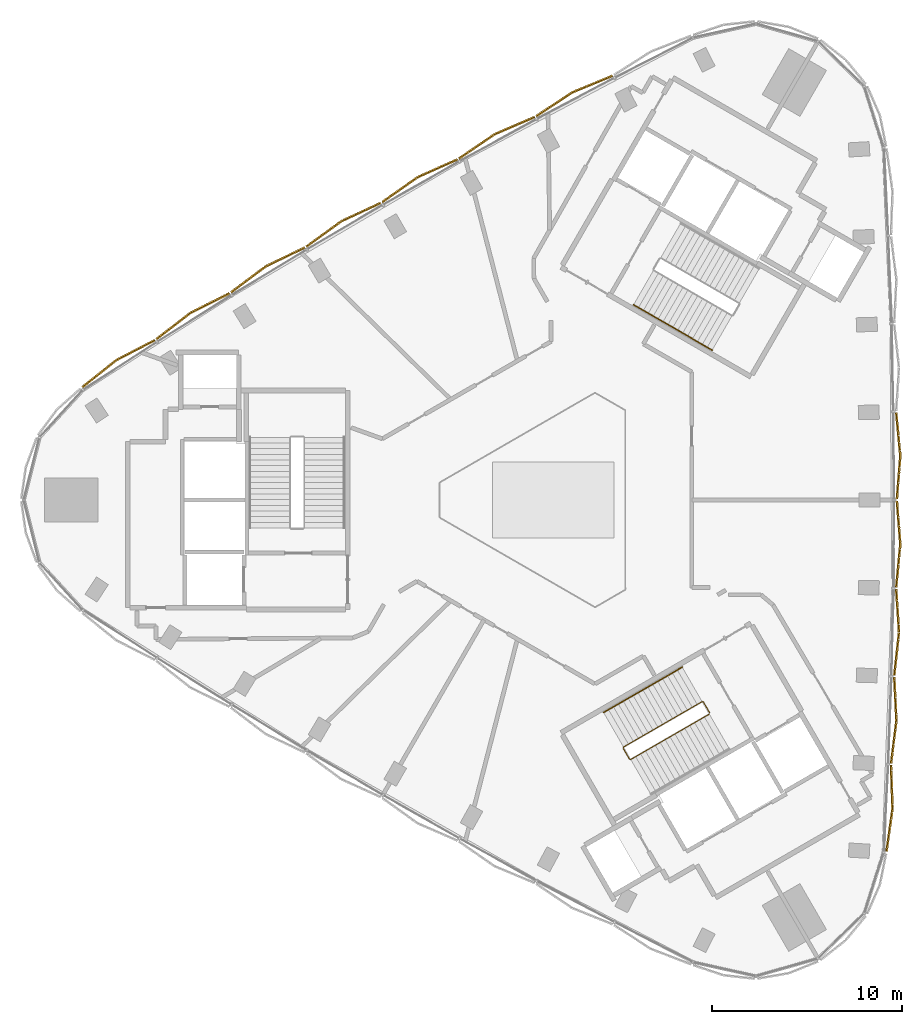
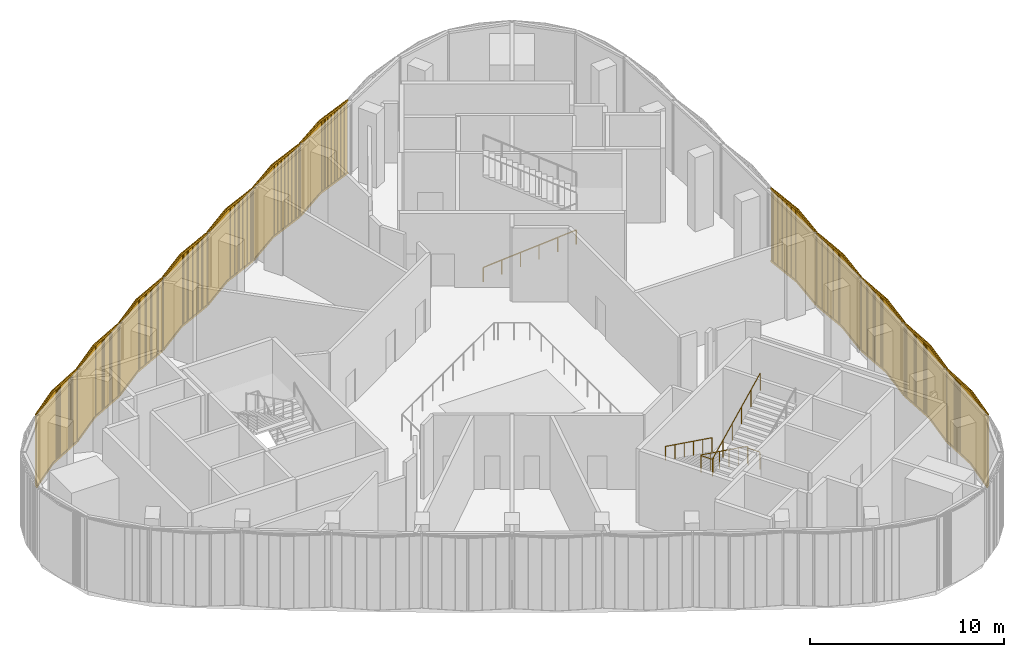
# One storey, part 13 of 15: 12 coverings, 3 railings.
"""IFC4 building model written with IfcOpenShell, lengths in metres."""

from ifc_helpers import new_model, si_unit, direction, frame, frame_2d, origin, origin_2d, place, context, subcontext, project, spatial, rectangle, circle, extrude, source, transform, mapped, material, type_object, element, save


model = new_model("IFC4")

# Units and contexts
model_context = context("Model", 3, precision=1e-05, world=origin(), true_north=direction((0.0, 1.0)))
body_context = subcontext(model_context, "Body", "Model", "MODEL_VIEW")
ifc_project = project(units=[si_unit("LENGTHUNIT", "METRE"), si_unit("AREAUNIT", "SQUARE_METRE"), si_unit("VOLUMEUNIT", "CUBIC_METRE"), si_unit("PLANEANGLEUNIT", "RADIAN"), si_unit("MASSUNIT", "GRAM", prefix="KILO")], contexts=[model_context])

# Site, building, storey
site_placement = place(None, origin())
site = spatial("IfcSite", under=ifc_project, at=site_placement, CompositionType="ELEMENT")
building_placement = place(site_placement, origin())
building = spatial("IfcBuilding", under=site, at=building_placement, Name="Tamra Quay Hotel Tower", CompositionType="ELEMENT")
storey_placement = place(building_placement, frame((0.0, 0.0, 216.39990234375)))
storey = spatial("IfcBuildingStorey", under=building, at=storey_placement, Name="L54", CompositionType="ELEMENT", Elevation=216.39990234375)

# Railings
ifc_material_1 = material(Name="Stair guard 1100")
railing_type_1 = type_object("IfcRailingType", Name="Stair guard 1100", PredefinedType="GUARDRAIL", material=ifc_material_1)
railing_1_placement = place(storey_placement, frame((8.245849609375, -11.221923828125, 0.0)))
element("IfcRailing", 1, at=railing_1_placement, inside=storey, type_object=railing_type_1, Name="GR", PredefinedType="GUARDRAIL", context=body_context, shape_type="SweptSolid", body=[
    extrude(circle(Radius=0.02392578125, at=origin_2d()), frame((0.0, 0.0, 1.076171875), z_axis=(-0.500043078269, 0.866000531106, 0.0), x_axis=(-0.866000531106, -0.500043078269, 0.0)), (0.0, 0.0, 1.0), 0.6591796875),
    extrude(circle(Radius=0.02392578125, at=origin_2d()), frame((-0.32958984375, 0.57080078125, 1.076171875), z_axis=(-0.418500998381, 0.112098481709, 0.901271792942), x_axis=(-0.258736085224, -0.965948051503, 0.0)), (0.0, 0.0, 1.0), 0.163330078125),
    extrude(circle(Radius=0.02392578125, at=origin_2d()), frame((-0.39794921875, 0.589111328125, 1.22314453125), z_axis=(-0.777122292527, -0.448688522226, 0.441315706133), x_axis=(0.500014005679, -0.866017317451, 0.0)), (0.0, 0.0, 1.0), 5.331298828125),
    extrude(circle(Radius=0.02392578125, at=origin_2d()), frame((-4.541015625, -1.802978515625, 3.576171875), z_axis=(-0.258736085224, -0.965948051503, 0.0), x_axis=(0.965948051503, -0.258736085224, 0.0)), (0.0, 0.0, 1.0), 0.07080078125),
    extrude(circle(Radius=0.02392578125, at=origin_2d()), frame((-4.559326171875, -1.871337890625, 3.576171875), z_axis=(0.500203519255, -0.865907869998, 0.0), x_axis=(0.865907869998, 0.500203519255, 0.0)), (0.0, 0.0, 1.0), 0.658935546875),
    extrude(circle(Radius=0.02392578125, at=origin_2d()), frame((-4.229736328125, -2.44189453125, 3.576171875), z_axis=(0.418500998381, -0.112098481709, 0.901271792942), x_axis=(0.258736085224, 0.965948051503, 0.0)), (0.0, 0.0, 1.0), 0.163330078125),
    extrude(circle(Radius=0.02392578125, at=origin_2d()), frame((-4.161376953125, -2.460205078125, 3.72314453125), z_axis=(0.777122292527, 0.448688522226, 0.441315706133), x_axis=(-0.500014005679, 0.866017317451, 0.0)), (0.0, 0.0, 1.0), 5.331298828125),
    extrude(circle(Radius=0.02099609375, at=origin_2d()), origin(), (0.0, 0.0, 1.0), 1.052001953125),
    extrude(circle(Radius=0.02099609375, at=origin_2d()), frame((-0.32958984375, 0.57080078125, 0.0)), (0.0, 0.0, 1.0), 1.052001953125),
    extrude(circle(Radius=0.02099609375, at=origin_2d()), frame((-0.39794921875, 0.589111328125, 0.147216796875)), (0.0, 0.0, 1.0), 1.052001953125),
    extrude(circle(Radius=0.02099609375, at=origin_2d()), frame((-1.2265625, 0.110595703125, 0.61767578125)), (0.0, 0.0, 1.0), 1.052001953125),
    extrude(circle(Radius=0.02099609375, at=origin_2d()), frame((-2.05517578125, -0.36767578125, 1.08837890625)), (0.0, 0.0, 1.0), 1.052001953125),
    extrude(circle(Radius=0.02099609375, at=origin_2d()), frame((-2.8837890625, -0.84619140625, 1.558837890625)), (0.0, 0.0, 1.0), 1.052001953125),
    extrude(circle(Radius=0.02099609375, at=origin_2d()), frame((-3.71240234375, -1.324462890625, 2.029541015625)), (0.0, 0.0, 1.0), 1.052001953125),
    extrude(circle(Radius=0.02099609375, at=origin_2d()), frame((-4.541015625, -1.802978515625, 2.5)), (0.0, 0.0, 1.0), 1.052001953125),
    extrude(circle(Radius=0.02099609375, at=origin_2d()), frame((-4.559326171875, -1.871337890625, 2.5)), (0.0, 0.0, 1.0), 1.052001953125),
    extrude(circle(Radius=0.02099609375, at=origin_2d()), frame((-4.229736328125, -2.44189453125, 2.5)), (0.0, 0.0, 1.0), 1.052001953125),
    extrude(circle(Radius=0.02099609375, at=origin_2d()), frame((-4.161376953125, -2.460205078125, 2.647216796875)), (0.0, 0.0, 1.0), 1.052001953125),
    extrude(circle(Radius=0.02099609375, at=origin_2d()), frame((-3.332763671875, -1.981689453125, 3.11767578125)), (0.0, 0.0, 1.0), 1.052001953125),
    extrude(circle(Radius=0.02099609375, at=origin_2d()), frame((-2.504150390625, -1.50341796875, 3.58837890625)), (0.0, 0.0, 1.0), 1.052001953125),
    extrude(circle(Radius=0.02099609375, at=origin_2d()), frame((-1.675537109375, -1.02490234375, 4.058837890625)), (0.0, 0.0, 1.0), 1.052001953125),
    extrude(circle(Radius=0.02099609375, at=origin_2d()), frame((-0.846923828125, -0.546630859375, 4.529541015625)), (0.0, 0.0, 1.0), 1.052001953125),
    extrude(circle(Radius=0.02099609375, at=origin_2d()), frame((-0.018310546875, -0.068115234375, 5.0)), (0.0, 0.0, 1.0), 1.052001953125),
])
ifc_material_2 = material(Name="Stair handrail 900")
railing_type_2 = type_object("IfcRailingType", Name="Stair handrail 900", PredefinedType="HANDRAIL", material=ifc_material_2)
railing_2_placement = place(storey_placement, frame((4.234375, 10.294189453125, 0.147216796875)))
element("IfcRailing", 2, at=railing_2_placement, inside=storey, type_object=railing_type_2, Name="HR", PredefinedType="HANDRAIL", context=body_context, shape_type="SweptSolid", body=[
    extrude(circle(Radius=0.02392578125, at=origin_2d()), frame((0.0, 0.0, 0.8759765625), z_axis=(0.777138259885, -0.4486519465, 0.441324773749), x_axis=(0.49997573074, 0.866039415195, 0.0)), (0.0, 0.0, 1.0), 5.331298828125),
    extrude(circle(Radius=0.02099609375, at=origin_2d()), origin(), (0.0, 0.0, 1.0), 0.851806640625),
    extrude(circle(Radius=0.02099609375, at=origin_2d()), frame((0.82861328125, -0.478271484375, 0.470458984375)), (0.0, 0.0, 1.0), 0.851806640625),
    extrude(circle(Radius=0.02099609375, at=origin_2d()), frame((1.6572265625, -0.956787109375, 0.941162109375)), (0.0, 0.0, 1.0), 0.851806640625),
    extrude(circle(Radius=0.02099609375, at=origin_2d()), frame((2.48583984375, -1.43505859375, 1.41162109375)), (0.0, 0.0, 1.0), 0.851806640625),
    extrude(circle(Radius=0.02099609375, at=origin_2d()), frame((3.314453125, -1.91357421875, 1.88232421875)), (0.0, 0.0, 1.0), 0.851806640625),
    extrude(circle(Radius=0.02099609375, at=origin_2d()), frame((4.14306640625, -2.391845703125, 2.352783203125)), (0.0, 0.0, 1.0), 0.851806640625),
])
railing_3_placement = place(storey_placement, frame((6.7978515625, -8.814208984375, 0.147216796875)))
element("IfcRailing", 3, at=railing_3_placement, inside=storey, type_object=railing_type_2, Name="HR", PredefinedType="HANDRAIL", context=body_context, shape_type="SweptSolid", body=[
    extrude(circle(Radius=0.02392578125, at=origin_2d()), frame((0.0, 0.0, 0.8759765625), z_axis=(-0.777122292527, -0.448688522226, 0.441315706133), x_axis=(0.500014005679, -0.866017317451, 0.0)), (0.0, 0.0, 1.0), 5.331298828125),
    extrude(circle(Radius=0.02099609375, at=origin_2d()), origin(), (0.0, 0.0, 1.0), 0.851806640625),
    extrude(circle(Radius=0.02099609375, at=origin_2d()), frame((-0.82861328125, -0.478515625, 0.470458984375)), (0.0, 0.0, 1.0), 0.851806640625),
    extrude(circle(Radius=0.02099609375, at=origin_2d()), frame((-1.6572265625, -0.956787109375, 0.941162109375)), (0.0, 0.0, 1.0), 0.851806640625),
    extrude(circle(Radius=0.02099609375, at=origin_2d()), frame((-2.48583984375, -1.435302734375, 1.41162109375)), (0.0, 0.0, 1.0), 0.851806640625),
    extrude(circle(Radius=0.02099609375, at=origin_2d()), frame((-3.314453125, -1.91357421875, 1.88232421875)), (0.0, 0.0, 1.0), 0.851806640625),
    extrude(circle(Radius=0.02099609375, at=origin_2d()), frame((-4.14306640625, -2.39208984375, 2.352783203125)), (0.0, 0.0, 1.0), 0.851806640625),
])

# Coverings
ifc_material_3 = material(Name="Terracotta baguette extruded", Category="masonry")
covering_type_1 = type_object("IfcCoveringType", Name="BAGUETTE SCREEN E-SHALLOW H4650", PredefinedType="USERDEFINED", material=ifc_material_3)
shared_shape_1 = source(origin(), body_context, "Body", "SweptSolid", [
    extrude(rectangle(XDim=2.291259765625, YDim=0.06005859375, at=frame_2d((1.1455078125, 0.030029296875))), frame((-2.287841796875, -0.057861328125, -0.1201171875), z_axis=(0.0, 0.0, 1.0), x_axis=(0.996194698092, -0.087155742748, 0.0)), (0.0, 0.0, 1.0), 0.1201171875),
    extrude(rectangle(XDim=2.291259765625, YDim=0.06005859375, at=frame_2d((1.1455078125, 0.030029296875))), frame((-2.287841796875, -0.057861328125, -4.64990234375), z_axis=(0.0, 0.0, 1.0), x_axis=(0.996194698092, -0.087155742748, 0.0)), (0.0, 0.0, 1.0), 0.1201171875),
    extrude(rectangle(XDim=0.094970703125, YDim=0.10009765625, at=frame_2d((0.04736328125, 0.050048828125))), frame((-2.2802734375, -0.13232421875, -4.590087890625)), (0.0, 0.0, 1.0), 4.530029296875),
    extrude(rectangle(XDim=0.094970703125, YDim=0.10009765625, at=frame_2d((0.04736328125, 0.050048828125))), frame((-2.18115234375, -0.14111328125, -4.590087890625)), (0.0, 0.0, 1.0), 4.530029296875),
    extrude(rectangle(XDim=0.094970703125, YDim=0.10009765625, at=frame_2d((0.04736328125, 0.050048828125))), frame((-2.081787109375, -0.149658203125, -4.590087890625)), (0.0, 0.0, 1.0), 4.530029296875),
    extrude(rectangle(XDim=0.094970703125, YDim=0.10009765625, at=frame_2d((0.04736328125, 0.050048828125))), frame((-1.982666015625, -0.158447265625, -4.590087890625)), (0.0, 0.0, 1.0), 4.530029296875),
    extrude(rectangle(XDim=0.094970703125, YDim=0.10009765625, at=frame_2d((0.04736328125, 0.050048828125))), frame((-1.88330078125, -0.1669921875, -4.590087890625)), (0.0, 0.0, 1.0), 4.530029296875),
    extrude(rectangle(XDim=0.094970703125, YDim=0.10009765625, at=frame_2d((0.04736328125, 0.050048828125))), frame((-1.7841796875, -0.17578125, -4.590087890625)), (0.0, 0.0, 1.0), 4.530029296875),
    extrude(rectangle(XDim=0.094970703125, YDim=0.10009765625, at=frame_2d((0.04736328125, 0.050048828125))), frame((-1.68505859375, -0.184326171875, -4.590087890625)), (0.0, 0.0, 1.0), 4.530029296875),
    extrude(rectangle(XDim=0.094970703125, YDim=0.10009765625, at=frame_2d((0.04736328125, 0.050048828125))), frame((-1.585693359375, -0.193115234375, -4.590087890625)), (0.0, 0.0, 1.0), 4.530029296875),
    extrude(rectangle(XDim=0.094970703125, YDim=0.10009765625, at=frame_2d((0.04736328125, 0.050048828125))), frame((-1.486572265625, -0.201904296875, -4.590087890625)), (0.0, 0.0, 1.0), 4.530029296875),
    extrude(rectangle(XDim=0.094970703125, YDim=0.10009765625, at=frame_2d((0.04736328125, 0.050048828125))), frame((-1.38720703125, -0.21044921875, -4.590087890625)), (0.0, 0.0, 1.0), 4.530029296875),
    extrude(rectangle(XDim=0.094970703125, YDim=0.10009765625, at=frame_2d((0.04736328125, 0.050048828125))), frame((-1.2880859375, -0.21923828125, -4.590087890625)), (0.0, 0.0, 1.0), 4.530029296875),
    extrude(rectangle(XDim=0.094970703125, YDim=0.10009765625, at=frame_2d((0.04736328125, 0.050048828125))), frame((-1.188720703125, -0.227783203125, -4.590087890625)), (0.0, 0.0, 1.0), 4.530029296875),
    extrude(rectangle(XDim=0.094970703125, YDim=0.10009765625, at=frame_2d((0.04736328125, 0.050048828125))), frame((-1.089599609375, -0.236572265625, -4.590087890625)), (0.0, 0.0, 1.0), 4.530029296875),
    extrude(rectangle(XDim=0.094970703125, YDim=0.10009765625, at=frame_2d((0.04736328125, 0.050048828125))), frame((-0.990234375, -0.2451171875, -4.590087890625)), (0.0, 0.0, 1.0), 4.530029296875),
    extrude(rectangle(XDim=0.094970703125, YDim=0.10009765625, at=frame_2d((0.04736328125, 0.050048828125))), frame((-0.89111328125, -0.25390625, -4.590087890625)), (0.0, 0.0, 1.0), 4.530029296875),
    extrude(rectangle(XDim=0.094970703125, YDim=0.10009765625, at=frame_2d((0.04736328125, 0.050048828125))), frame((-0.791748046875, -0.2626953125, -4.590087890625)), (0.0, 0.0, 1.0), 4.530029296875),
    extrude(rectangle(XDim=0.094970703125, YDim=0.10009765625, at=frame_2d((0.04736328125, 0.050048828125))), frame((-0.692626953125, -0.271240234375, -4.590087890625)), (0.0, 0.0, 1.0), 4.530029296875),
    extrude(rectangle(XDim=0.094970703125, YDim=0.10009765625, at=frame_2d((0.04736328125, 0.050048828125))), frame((-0.59326171875, -0.280029296875, -4.590087890625)), (0.0, 0.0, 1.0), 4.530029296875),
    extrude(rectangle(XDim=0.094970703125, YDim=0.10009765625, at=frame_2d((0.04736328125, 0.050048828125))), frame((-0.494140625, -0.28857421875, -4.590087890625)), (0.0, 0.0, 1.0), 4.530029296875),
    extrude(rectangle(XDim=0.094970703125, YDim=0.10009765625, at=frame_2d((0.04736328125, 0.050048828125))), frame((-0.394775390625, -0.29736328125, -4.590087890625)), (0.0, 0.0, 1.0), 4.530029296875),
    extrude(rectangle(XDim=0.094970703125, YDim=0.10009765625, at=frame_2d((0.04736328125, 0.050048828125))), frame((-0.295654296875, -0.305908203125, -4.590087890625)), (0.0, 0.0, 1.0), 4.530029296875),
    extrude(rectangle(XDim=0.094970703125, YDim=0.10009765625, at=frame_2d((0.04736328125, 0.050048828125))), frame((-0.1962890625, -0.314697265625, -4.590087890625)), (0.0, 0.0, 1.0), 4.530029296875),
    extrude(rectangle(XDim=0.094970703125, YDim=0.10009765625, at=frame_2d((0.04736328125, 0.050048828125))), frame((-0.09716796875, -0.3232421875, -4.590087890625)), (0.0, 0.0, 1.0), 4.530029296875),
    extrude(rectangle(XDim=2.291259765625, YDim=0.06005859375, at=frame_2d((1.1455078125, 0.030029296875))), frame((0.005126953125, -0.257568359375, -0.1201171875), z_axis=(0.0, 0.0, 1.0), x_axis=(0.996194698092, 0.087155742748, 0.0)), (0.0, 0.0, 1.0), 0.1201171875),
    extrude(rectangle(XDim=2.291259765625, YDim=0.06005859375, at=frame_2d((1.1455078125, 0.030029296875))), frame((0.005126953125, -0.257568359375, -4.64990234375), z_axis=(0.0, 0.0, 1.0), x_axis=(0.996194698092, 0.087155742748, 0.0)), (0.0, 0.0, 1.0), 0.1201171875),
    extrude(rectangle(XDim=0.094970703125, YDim=0.10009765625, at=frame_2d((0.04736328125, 0.050048828125))), frame((0.002197265625, -0.3232421875, -4.590087890625)), (0.0, 0.0, 1.0), 4.530029296875),
    extrude(rectangle(XDim=0.094970703125, YDim=0.10009765625, at=frame_2d((0.04736328125, 0.050048828125))), frame((0.101318359375, -0.314697265625, -4.590087890625)), (0.0, 0.0, 1.0), 4.530029296875),
    extrude(rectangle(XDim=0.094970703125, YDim=0.10009765625, at=frame_2d((0.04736328125, 0.050048828125))), frame((0.20068359375, -0.305908203125, -4.590087890625)), (0.0, 0.0, 1.0), 4.530029296875),
    extrude(rectangle(XDim=0.094970703125, YDim=0.10009765625, at=frame_2d((0.04736328125, 0.050048828125))), frame((0.2998046875, -0.29736328125, -4.590087890625)), (0.0, 0.0, 1.0), 4.530029296875),
    extrude(rectangle(XDim=0.094970703125, YDim=0.10009765625, at=frame_2d((0.04736328125, 0.050048828125))), frame((0.399169921875, -0.28857421875, -4.590087890625)), (0.0, 0.0, 1.0), 4.530029296875),
    extrude(rectangle(XDim=0.094970703125, YDim=0.10009765625, at=frame_2d((0.04736328125, 0.050048828125))), frame((0.498291015625, -0.280029296875, -4.590087890625)), (0.0, 0.0, 1.0), 4.530029296875),
    extrude(rectangle(XDim=0.094970703125, YDim=0.10009765625, at=frame_2d((0.04736328125, 0.050048828125))), frame((0.59765625, -0.271240234375, -4.590087890625)), (0.0, 0.0, 1.0), 4.530029296875),
    extrude(rectangle(XDim=0.094970703125, YDim=0.10009765625, at=frame_2d((0.04736328125, 0.050048828125))), frame((0.69677734375, -0.2626953125, -4.590087890625)), (0.0, 0.0, 1.0), 4.530029296875),
    extrude(rectangle(XDim=0.094970703125, YDim=0.10009765625, at=frame_2d((0.04736328125, 0.050048828125))), frame((0.796142578125, -0.25390625, -4.590087890625)), (0.0, 0.0, 1.0), 4.530029296875),
    extrude(rectangle(XDim=0.094970703125, YDim=0.10009765625, at=frame_2d((0.04736328125, 0.050048828125))), frame((0.895263671875, -0.2451171875, -4.590087890625)), (0.0, 0.0, 1.0), 4.530029296875),
    extrude(rectangle(XDim=0.094970703125, YDim=0.10009765625, at=frame_2d((0.04736328125, 0.050048828125))), frame((0.99462890625, -0.236572265625, -4.590087890625)), (0.0, 0.0, 1.0), 4.530029296875),
    extrude(rectangle(XDim=0.094970703125, YDim=0.10009765625, at=frame_2d((0.04736328125, 0.050048828125))), frame((1.09375, -0.227783203125, -4.590087890625)), (0.0, 0.0, 1.0), 4.530029296875),
    extrude(rectangle(XDim=0.094970703125, YDim=0.10009765625, at=frame_2d((0.04736328125, 0.050048828125))), frame((1.19287109375, -0.21923828125, -4.590087890625)), (0.0, 0.0, 1.0), 4.530029296875),
    extrude(rectangle(XDim=0.094970703125, YDim=0.10009765625, at=frame_2d((0.04736328125, 0.050048828125))), frame((1.292236328125, -0.21044921875, -4.590087890625)), (0.0, 0.0, 1.0), 4.530029296875),
    extrude(rectangle(XDim=0.094970703125, YDim=0.10009765625, at=frame_2d((0.04736328125, 0.050048828125))), frame((1.391357421875, -0.201904296875, -4.590087890625)), (0.0, 0.0, 1.0), 4.530029296875),
    extrude(rectangle(XDim=0.094970703125, YDim=0.10009765625, at=frame_2d((0.04736328125, 0.050048828125))), frame((1.49072265625, -0.193115234375, -4.590087890625)), (0.0, 0.0, 1.0), 4.530029296875),
    extrude(rectangle(XDim=0.094970703125, YDim=0.10009765625, at=frame_2d((0.04736328125, 0.050048828125))), frame((1.58984375, -0.184326171875, -4.590087890625)), (0.0, 0.0, 1.0), 4.530029296875),
    extrude(rectangle(XDim=0.094970703125, YDim=0.10009765625, at=frame_2d((0.04736328125, 0.050048828125))), frame((1.689208984375, -0.17578125, -4.590087890625)), (0.0, 0.0, 1.0), 4.530029296875),
    extrude(rectangle(XDim=0.094970703125, YDim=0.10009765625, at=frame_2d((0.04736328125, 0.050048828125))), frame((1.788330078125, -0.1669921875, -4.590087890625)), (0.0, 0.0, 1.0), 4.530029296875),
    extrude(rectangle(XDim=0.094970703125, YDim=0.10009765625, at=frame_2d((0.04736328125, 0.050048828125))), frame((1.8876953125, -0.158447265625, -4.590087890625)), (0.0, 0.0, 1.0), 4.530029296875),
    extrude(rectangle(XDim=0.094970703125, YDim=0.10009765625, at=frame_2d((0.04736328125, 0.050048828125))), frame((1.98681640625, -0.149658203125, -4.590087890625)), (0.0, 0.0, 1.0), 4.530029296875),
    extrude(rectangle(XDim=0.094970703125, YDim=0.10009765625, at=frame_2d((0.04736328125, 0.050048828125))), frame((2.086181640625, -0.14111328125, -4.590087890625)), (0.0, 0.0, 1.0), 4.530029296875),
    extrude(rectangle(XDim=0.094970703125, YDim=0.10009765625, at=frame_2d((0.04736328125, 0.050048828125))), frame((2.185302734375, -0.13232421875, -4.590087890625)), (0.0, 0.0, 1.0), 4.530029296875),
])
for number, where, z_axis, x_axis, name in (
    (4, (17.62548828125, -16.252197265625, 4.650146484375), (0.0, 0.0, 1.0), (0.051403550754, 0.998677963595, 0.0), "Baguette screen L54.E.f00"),
    (5, (17.830322265625, -11.611083984375, 4.650146484375), (0.0, 0.0, 1.0), (0.036744877024, 0.999324678977, 0.0), "Baguette screen L54.E.f01"),
    (6, (17.967041015625, -6.9677734375, 4.650146484375), (0.0, 0.0, 1.0), (0.022062941514, 0.99975658368, 0.0), "Baguette screen L54.E.f02"),
    (7, (18.03515625, -2.32275390625, 4.650146484375), (0.0, 0.0, 1.0), (0.007361709443, 0.99997290225, 0.0), "Baguette screen L54.E.f03"),
    (8, (18.03515625, 2.32275390625, 4.650146484375), (0.0, 0.0, 1.0), (-0.007361709443, 0.99997290225, 0.0), "Baguette screen L54.E.f04"),
):
    element("IfcCovering", number, at=place(storey_placement, frame(where, z_axis=z_axis, x_axis=x_axis)), inside=storey, type_object=covering_type_1, Name=name, ObjectType="BAGUETTE SCREEN", PredefinedType="USERDEFINED", context=body_context, shape_type="MappedRepresentation", body=[
        mapped(shared_shape_1, transform((0.0, 0.0, 0.0), scale=1.0)),
    ])
covering_type_2 = type_object("IfcCoveringType", Name="BAGUETTE SCREEN NW-SHALLOW H4650", PredefinedType="USERDEFINED", material=ifc_material_3)
shared_shape_2 = source(origin(), body_context, "Body", "SweptSolid", [
    extrude(rectangle(XDim=2.29296875, YDim=0.06005859375, at=frame_2d((1.146484375, 0.030029296875))), frame((-2.288330078125, -0.0576171875, -0.1201171875), z_axis=(0.0, 0.0, 1.0), x_axis=(0.995396198367, -0.09584575252, 0.0)), (0.0, 0.0, 1.0), 0.1201171875),
    extrude(rectangle(XDim=2.29296875, YDim=0.06005859375, at=frame_2d((1.146484375, 0.030029296875))), frame((-2.288330078125, -0.0576171875, -4.64990234375), z_axis=(0.0, 0.0, 1.0), x_axis=(0.995396198367, -0.09584575252, 0.0)), (0.0, 0.0, 1.0), 0.1201171875),
    extrude(rectangle(XDim=0.094970703125, YDim=0.10009765625, at=frame_2d((0.04736328125, 0.050048828125))), frame((-2.2802734375, -0.1328125, -4.590087890625)), (0.0, 0.0, 1.0), 4.530029296875),
    extrude(rectangle(XDim=0.094970703125, YDim=0.10009765625, at=frame_2d((0.04736328125, 0.050048828125))), frame((-2.18115234375, -0.142333984375, -4.590087890625)), (0.0, 0.0, 1.0), 4.530029296875),
    extrude(rectangle(XDim=0.094970703125, YDim=0.10009765625, at=frame_2d((0.04736328125, 0.050048828125))), frame((-2.081787109375, -0.15185546875, -4.590087890625)), (0.0, 0.0, 1.0), 4.530029296875),
    extrude(rectangle(XDim=0.094970703125, YDim=0.10009765625, at=frame_2d((0.04736328125, 0.050048828125))), frame((-1.982666015625, -0.161376953125, -4.590087890625)), (0.0, 0.0, 1.0), 4.530029296875),
    extrude(rectangle(XDim=0.094970703125, YDim=0.10009765625, at=frame_2d((0.04736328125, 0.050048828125))), frame((-1.88330078125, -0.1708984375, -4.590087890625)), (0.0, 0.0, 1.0), 4.530029296875),
    extrude(rectangle(XDim=0.094970703125, YDim=0.10009765625, at=frame_2d((0.04736328125, 0.050048828125))), frame((-1.7841796875, -0.1806640625, -4.590087890625)), (0.0, 0.0, 1.0), 4.530029296875),
    extrude(rectangle(XDim=0.094970703125, YDim=0.10009765625, at=frame_2d((0.04736328125, 0.050048828125))), frame((-1.68505859375, -0.190185546875, -4.590087890625)), (0.0, 0.0, 1.0), 4.530029296875),
    extrude(rectangle(XDim=0.094970703125, YDim=0.10009765625, at=frame_2d((0.04736328125, 0.050048828125))), frame((-1.585693359375, -0.19970703125, -4.590087890625)), (0.0, 0.0, 1.0), 4.530029296875),
    extrude(rectangle(XDim=0.094970703125, YDim=0.10009765625, at=frame_2d((0.04736328125, 0.050048828125))), frame((-1.486572265625, -0.209228515625, -4.590087890625)), (0.0, 0.0, 1.0), 4.530029296875),
    extrude(rectangle(XDim=0.094970703125, YDim=0.10009765625, at=frame_2d((0.04736328125, 0.050048828125))), frame((-1.38720703125, -0.21875, -4.590087890625)), (0.0, 0.0, 1.0), 4.530029296875),
    extrude(rectangle(XDim=0.094970703125, YDim=0.10009765625, at=frame_2d((0.04736328125, 0.050048828125))), frame((-1.2880859375, -0.228271484375, -4.590087890625)), (0.0, 0.0, 1.0), 4.530029296875),
    extrude(rectangle(XDim=0.094970703125, YDim=0.10009765625, at=frame_2d((0.04736328125, 0.050048828125))), frame((-1.188720703125, -0.23779296875, -4.590087890625)), (0.0, 0.0, 1.0), 4.530029296875),
    extrude(rectangle(XDim=0.094970703125, YDim=0.10009765625, at=frame_2d((0.04736328125, 0.050048828125))), frame((-1.089599609375, -0.24755859375, -4.590087890625)), (0.0, 0.0, 1.0), 4.530029296875),
    extrude(rectangle(XDim=0.094970703125, YDim=0.10009765625, at=frame_2d((0.04736328125, 0.050048828125))), frame((-0.990234375, -0.257080078125, -4.590087890625)), (0.0, 0.0, 1.0), 4.530029296875),
    extrude(rectangle(XDim=0.094970703125, YDim=0.10009765625, at=frame_2d((0.04736328125, 0.050048828125))), frame((-0.89111328125, -0.2666015625, -4.590087890625)), (0.0, 0.0, 1.0), 4.530029296875),
    extrude(rectangle(XDim=0.094970703125, YDim=0.10009765625, at=frame_2d((0.04736328125, 0.050048828125))), frame((-0.791748046875, -0.276123046875, -4.590087890625)), (0.0, 0.0, 1.0), 4.530029296875),
    extrude(rectangle(XDim=0.094970703125, YDim=0.10009765625, at=frame_2d((0.04736328125, 0.050048828125))), frame((-0.692626953125, -0.28564453125, -4.590087890625)), (0.0, 0.0, 1.0), 4.530029296875),
    extrude(rectangle(XDim=0.094970703125, YDim=0.10009765625, at=frame_2d((0.04736328125, 0.050048828125))), frame((-0.59326171875, -0.295166015625, -4.590087890625)), (0.0, 0.0, 1.0), 4.530029296875),
    extrude(rectangle(XDim=0.094970703125, YDim=0.10009765625, at=frame_2d((0.04736328125, 0.050048828125))), frame((-0.494140625, -0.3046875, -4.590087890625)), (0.0, 0.0, 1.0), 4.530029296875),
    extrude(rectangle(XDim=0.094970703125, YDim=0.10009765625, at=frame_2d((0.04736328125, 0.050048828125))), frame((-0.394775390625, -0.314453125, -4.590087890625)), (0.0, 0.0, 1.0), 4.530029296875),
    extrude(rectangle(XDim=0.094970703125, YDim=0.10009765625, at=frame_2d((0.04736328125, 0.050048828125))), frame((-0.295654296875, -0.323974609375, -4.590087890625)), (0.0, 0.0, 1.0), 4.530029296875),
    extrude(rectangle(XDim=0.094970703125, YDim=0.10009765625, at=frame_2d((0.04736328125, 0.050048828125))), frame((-0.1962890625, -0.33349609375, -4.590087890625)), (0.0, 0.0, 1.0), 4.530029296875),
    extrude(rectangle(XDim=0.094970703125, YDim=0.10009765625, at=frame_2d((0.04736328125, 0.050048828125))), frame((-0.09716796875, -0.343017578125, -4.590087890625)), (0.0, 0.0, 1.0), 4.530029296875),
    extrude(rectangle(XDim=2.29296875, YDim=0.06005859375, at=frame_2d((1.146484375, 0.030029296875))), frame((0.005859375, -0.277587890625, -0.1201171875), z_axis=(0.0, 0.0, 1.0), x_axis=(0.995396198367, 0.09584575252, 0.0)), (0.0, 0.0, 1.0), 0.1201171875),
    extrude(rectangle(XDim=2.29296875, YDim=0.06005859375, at=frame_2d((1.146484375, 0.030029296875))), frame((0.005859375, -0.277587890625, -4.64990234375), z_axis=(0.0, 0.0, 1.0), x_axis=(0.995396198367, 0.09584575252, 0.0)), (0.0, 0.0, 1.0), 0.1201171875),
    extrude(rectangle(XDim=0.094970703125, YDim=0.10009765625, at=frame_2d((0.04736328125, 0.050048828125))), frame((0.002197265625, -0.343017578125, -4.590087890625)), (0.0, 0.0, 1.0), 4.530029296875),
    extrude(rectangle(XDim=0.094970703125, YDim=0.10009765625, at=frame_2d((0.04736328125, 0.050048828125))), frame((0.101318359375, -0.33349609375, -4.590087890625)), (0.0, 0.0, 1.0), 4.530029296875),
    extrude(rectangle(XDim=0.094970703125, YDim=0.10009765625, at=frame_2d((0.04736328125, 0.050048828125))), frame((0.20068359375, -0.323974609375, -4.590087890625)), (0.0, 0.0, 1.0), 4.530029296875),
    extrude(rectangle(XDim=0.094970703125, YDim=0.10009765625, at=frame_2d((0.04736328125, 0.050048828125))), frame((0.2998046875, -0.314453125, -4.590087890625)), (0.0, 0.0, 1.0), 4.530029296875),
    extrude(rectangle(XDim=0.094970703125, YDim=0.10009765625, at=frame_2d((0.04736328125, 0.050048828125))), frame((0.399169921875, -0.3046875, -4.590087890625)), (0.0, 0.0, 1.0), 4.530029296875),
    extrude(rectangle(XDim=0.094970703125, YDim=0.10009765625, at=frame_2d((0.04736328125, 0.050048828125))), frame((0.498291015625, -0.295166015625, -4.590087890625)), (0.0, 0.0, 1.0), 4.530029296875),
    extrude(rectangle(XDim=0.094970703125, YDim=0.10009765625, at=frame_2d((0.04736328125, 0.050048828125))), frame((0.59765625, -0.28564453125, -4.590087890625)), (0.0, 0.0, 1.0), 4.530029296875),
    extrude(rectangle(XDim=0.094970703125, YDim=0.10009765625, at=frame_2d((0.04736328125, 0.050048828125))), frame((0.69677734375, -0.276123046875, -4.590087890625)), (0.0, 0.0, 1.0), 4.530029296875),
    extrude(rectangle(XDim=0.094970703125, YDim=0.10009765625, at=frame_2d((0.04736328125, 0.050048828125))), frame((0.796142578125, -0.2666015625, -4.590087890625)), (0.0, 0.0, 1.0), 4.530029296875),
    extrude(rectangle(XDim=0.094970703125, YDim=0.10009765625, at=frame_2d((0.04736328125, 0.050048828125))), frame((0.895263671875, -0.257080078125, -4.590087890625)), (0.0, 0.0, 1.0), 4.530029296875),
    extrude(rectangle(XDim=0.094970703125, YDim=0.10009765625, at=frame_2d((0.04736328125, 0.050048828125))), frame((0.99462890625, -0.24755859375, -4.590087890625)), (0.0, 0.0, 1.0), 4.530029296875),
    extrude(rectangle(XDim=0.094970703125, YDim=0.10009765625, at=frame_2d((0.04736328125, 0.050048828125))), frame((1.09375, -0.23779296875, -4.590087890625)), (0.0, 0.0, 1.0), 4.530029296875),
    extrude(rectangle(XDim=0.094970703125, YDim=0.10009765625, at=frame_2d((0.04736328125, 0.050048828125))), frame((1.19287109375, -0.228271484375, -4.590087890625)), (0.0, 0.0, 1.0), 4.530029296875),
    extrude(rectangle(XDim=0.094970703125, YDim=0.10009765625, at=frame_2d((0.04736328125, 0.050048828125))), frame((1.292236328125, -0.21875, -4.590087890625)), (0.0, 0.0, 1.0), 4.530029296875),
    extrude(rectangle(XDim=0.094970703125, YDim=0.10009765625, at=frame_2d((0.04736328125, 0.050048828125))), frame((1.391357421875, -0.209228515625, -4.590087890625)), (0.0, 0.0, 1.0), 4.530029296875),
    extrude(rectangle(XDim=0.094970703125, YDim=0.10009765625, at=frame_2d((0.04736328125, 0.050048828125))), frame((1.49072265625, -0.19970703125, -4.590087890625)), (0.0, 0.0, 1.0), 4.530029296875),
    extrude(rectangle(XDim=0.094970703125, YDim=0.10009765625, at=frame_2d((0.04736328125, 0.050048828125))), frame((1.58984375, -0.190185546875, -4.590087890625)), (0.0, 0.0, 1.0), 4.530029296875),
    extrude(rectangle(XDim=0.094970703125, YDim=0.10009765625, at=frame_2d((0.04736328125, 0.050048828125))), frame((1.689208984375, -0.1806640625, -4.590087890625)), (0.0, 0.0, 1.0), 4.530029296875),
    extrude(rectangle(XDim=0.094970703125, YDim=0.10009765625, at=frame_2d((0.04736328125, 0.050048828125))), frame((1.788330078125, -0.1708984375, -4.590087890625)), (0.0, 0.0, 1.0), 4.530029296875),
    extrude(rectangle(XDim=0.094970703125, YDim=0.10009765625, at=frame_2d((0.04736328125, 0.050048828125))), frame((1.8876953125, -0.161376953125, -4.590087890625)), (0.0, 0.0, 1.0), 4.530029296875),
    extrude(rectangle(XDim=0.094970703125, YDim=0.10009765625, at=frame_2d((0.04736328125, 0.050048828125))), frame((1.98681640625, -0.15185546875, -4.590087890625)), (0.0, 0.0, 1.0), 4.530029296875),
    extrude(rectangle(XDim=0.094970703125, YDim=0.10009765625, at=frame_2d((0.04736328125, 0.050048828125))), frame((2.086181640625, -0.142333984375, -4.590087890625)), (0.0, 0.0, 1.0), 4.530029296875),
    extrude(rectangle(XDim=0.094970703125, YDim=0.10009765625, at=frame_2d((0.04736328125, 0.050048828125))), frame((2.185302734375, -0.1328125, -4.590087890625)), (0.0, 0.0, 1.0), 4.530029296875),
])
for number, where, z_axis, x_axis, name in (
    (9, (1.140380859375, 21.2470703125, 4.650146484375), (0.0, 0.0, 1.0), (-0.883812997135, -0.467840342526, 0.0), "Baguette screen L54.NW.f01"),
    (10, (-2.94921875, 19.043701171875, 4.650146484375), (0.0, 0.0, 1.0), (-0.876846069825, -0.480771224007, 0.0), "Baguette screen L54.NW.f02"),
    (11, (-7.005859375, 16.780517578125, 4.650146484375), (0.0, 0.0, 1.0), (-0.869682791166, -0.493611023732, 0.0), "Baguette screen L54.NW.f03"),
    (12, (-11.029296875, 14.45751953125, 4.650146484375), (0.0, 0.0, 1.0), (-0.862321081723, -0.506361878518, 0.0), "Baguette screen L54.NW.f04"),
    (13, (-15.017578125, 12.075927734375, 4.650146484375), (0.0, 0.0, 1.0), (-0.854783128311, -0.518985359673, 0.0), "Baguette screen L54.NW.f05"),
    (14, (-18.970703125, 9.635986328125, 4.650146484375), (0.0, 0.0, 1.0), (-0.847068120111, -0.531484336451, 0.0), "Baguette screen L54.NW.f06"),
    (15, (-22.887451171875, 7.13818359375, 4.650146484375), (0.0, 0.0, 1.0), (-0.839178711296, -0.543855762595, 0.0), "Baguette screen L54.NW.f07"),
):
    element("IfcCovering", number, at=place(storey_placement, frame(where, z_axis=z_axis, x_axis=x_axis)), inside=storey, type_object=covering_type_2, Name=name, ObjectType="BAGUETTE SCREEN", PredefinedType="USERDEFINED", context=body_context, shape_type="MappedRepresentation", body=[
        mapped(shared_shape_2, transform((0.0, 0.0, 0.0), scale=1.0)),
    ])

save(model, "model.ifc")
